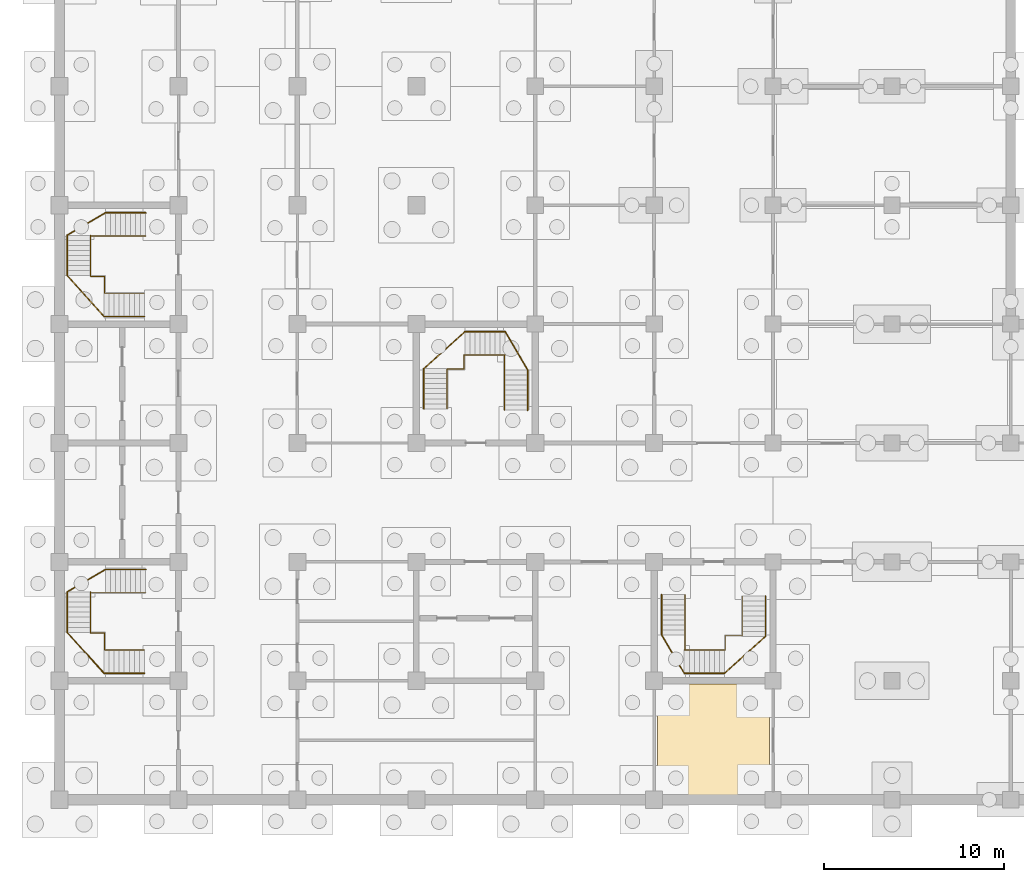
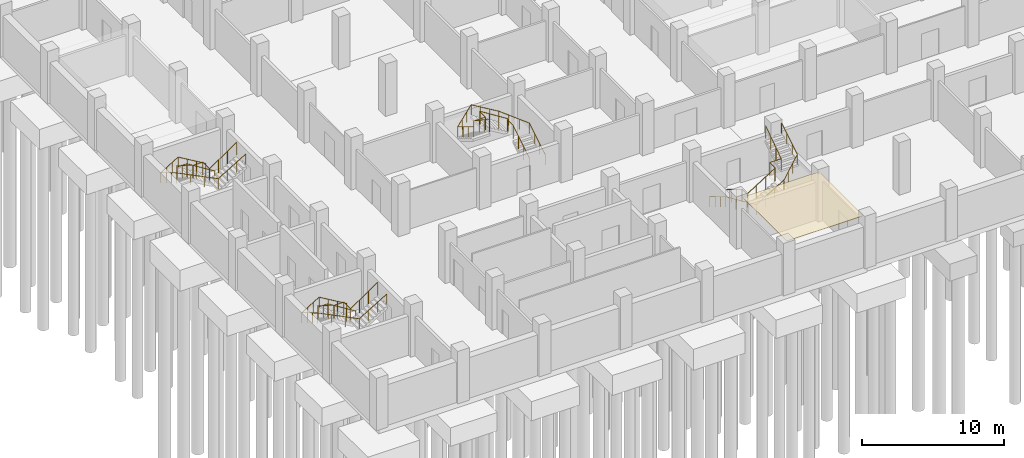
# One storey, part 16 of 18: 8 railings, 1 covering.
"""IFC4 building model written with IfcOpenShell, lengths in metres."""

from ifc_helpers import new_model, si_unit, direction, frame, origin, origin_2d, place, context, subcontext, project, spatial, polyline, circle, outline, extrude, material, layer, layer_set, type_object, element, save


model = new_model("IFC4")

# Units and contexts
model_context = context("Model", 3, precision=1e-05, world=origin(), true_north=direction((0.0, 1.0)))
body_context = subcontext(model_context, "Body", "Model", "MODEL_VIEW")
ifc_project = project(units=[si_unit("LENGTHUNIT", "METRE"), si_unit("AREAUNIT", "SQUARE_METRE"), si_unit("VOLUMEUNIT", "CUBIC_METRE"), si_unit("PLANEANGLEUNIT", "RADIAN"), si_unit("MASSUNIT", "GRAM", prefix="KILO")], contexts=[model_context])

# Site, building, storey
site_placement = place(None, origin())
site = spatial("IfcSite", under=ifc_project, at=site_placement, CompositionType="ELEMENT")
building_placement = place(site_placement, origin())
building = spatial("IfcBuilding", under=site, at=building_placement, Name="Rusizi Kubbe Research Institute", CompositionType="ELEMENT")
storey_placement = place(building_placement, frame((0.0, 0.0, -4.5)))
storey = spatial("IfcBuildingStorey", under=building, at=storey_placement, Name="B01", CompositionType="ELEMENT", Elevation=-4.5)

# Covering
ifc_material_1 = material(Name="Mineral-Fibre Acoustic Laboratory Ceiling", Category="masonry")
ifc_layer = layer(ifc_material_1, 0.0400390625)
ifc_layer_set = layer_set([ifc_layer], Name="Mineral-Fibre Acoustic Laboratory Ceiling")
covering_type = type_object("IfcCoveringType", Name="CL-ACOUSTIC", PredefinedType="CEILING", material=ifc_layer_set)
covering_placement = place(storey_placement, frame((0.0, 0.0, 4.050048828125)))
element("IfcCovering", 1, at=covering_placement, inside=storey, type_object=covering_type, Name="Laboratory Instrument Support Room Ceiling B01-EWU-05", PredefinedType="CEILING", context=body_context, shape_type="SweptSolid", body=[
    extrude(outline(polyline([(33.18994140625, 0.18994140625), (39.409912109375, 0.18994140625), (39.409912109375, 6.409912109375), (33.18994140625, 6.409912109375), (33.18994140625, 0.18994140625)])), origin(), (0.0, 0.0, 1.0), 0.0400390625),
])

# Railings
ifc_material_2 = material(Name="Painted Steel Stair Guard", Category="steel")
railing_type_1 = type_object("IfcRailingType", Name="GR-STAIR", PredefinedType="GUARDRAIL", material=ifc_material_2)
railing_1_placement = place(storey_placement, frame((4.780029296875, 11.489990234375, 0.083251953125)))
element("IfcRailing", 2, at=railing_1_placement, inside=storey, type_object=railing_type_1, Name="Stair Inner Well Guard ST1 B01", PredefinedType="GUARDRAIL", context=body_context, shape_type="SweptSolid", body=[
    extrude(circle(Radius=0.02392578125, at=origin_2d()), frame((0.0, 0.0, 1.09619140625), z_axis=(-0.849380094892, 0.0, 0.527781635149), x_axis=(0.0, -1.0, 0.0)), (0.0, 0.0, 1.0), 2.684326171875),
    extrude(circle(Radius=0.02392578125, at=origin_2d()), frame((-2.280029296875, 0.0, 2.5126953125), z_axis=(-1.0, 0.0, 0.0), x_axis=(0.0, -1.0, 0.0)), (0.0, 0.0, 1.0), 0.7900390625),
    extrude(circle(Radius=0.02392578125, at=origin_2d()), frame((-3.070068359375, 0.0, 2.5126953125), z_axis=(0.0, 0.43341827455, 0.901192875741), x_axis=(-1.0, 0.0, 0.0)), (0.0, 0.0, 1.0), 0.09228515625),
    extrude(circle(Radius=0.02392578125, at=origin_2d()), frame((-3.070068359375, 0.0400390625, 2.59619140625), z_axis=(0.0, -0.845145079244, 0.534536991264), x_axis=(1.0, 0.0, 0.0)), (0.0, 0.0, 1.0), 2.650390625),
    extrude(circle(Radius=0.02392578125, at=origin_2d()), frame((-3.070068359375, -2.199951171875, 4.0126953125), z_axis=(0.0, -1.0, 0.0), x_axis=(1.0, 0.0, 0.0)), (0.0, 0.0, 1.0), 0.0400390625),
    extrude(circle(Radius=0.02392578125, at=origin_2d()), frame((-3.070068359375, -2.239990234375, 4.0126953125), z_axis=(1.0, 0.0, 0.0), x_axis=(0.0, 1.0, 0.0)), (0.0, 0.0, 1.0), 0.7900390625),
    extrude(circle(Radius=0.02392578125, at=origin_2d()), frame((-2.280029296875, -2.239990234375, 4.0126953125), z_axis=(0.0, -1.0, 0.0), x_axis=(1.0, 0.0, 0.0)), (0.0, 0.0, 1.0), 0.93994140625),
    extrude(circle(Radius=0.02392578125, at=origin_2d()), frame((-2.280029296875, -3.179931640625, 4.0126953125), z_axis=(0.826221523208, 0.0, 0.563345359959), x_axis=(0.0, 1.0, 0.0)), (0.0, 0.0, 1.0), 2.66259765625),
    extrude(circle(Radius=0.02099609375, at=origin_2d()), origin(), (0.0, 0.0, 1.0), 1.072021484375),
    extrude(circle(Radius=0.02099609375, at=origin_2d()), frame((-0.760009765625, 0.0, 0.47216796875)), (0.0, 0.0, 1.0), 1.072021484375),
    extrude(circle(Radius=0.02099609375, at=origin_2d()), frame((-1.52001953125, 0.0, 0.944580078125)), (0.0, 0.0, 1.0), 1.072021484375),
    extrude(circle(Radius=0.02099609375, at=origin_2d()), frame((-2.280029296875, 0.0, 1.416748046875)), (0.0, 0.0, 1.0), 1.072021484375),
    extrude(circle(Radius=0.02099609375, at=origin_2d()), frame((-3.070068359375, 0.0, 1.416748046875)), (0.0, 0.0, 1.0), 1.072021484375),
    extrude(circle(Radius=0.02099609375, at=origin_2d()), frame((-3.070068359375, 0.0400390625, 1.5)), (0.0, 0.0, 1.0), 1.072021484375),
    extrude(circle(Radius=0.02099609375, at=origin_2d()), frame((-3.070068359375, -0.70654296875, 1.97216796875)), (0.0, 0.0, 1.0), 1.072021484375),
    extrude(circle(Radius=0.02099609375, at=origin_2d()), frame((-3.070068359375, -1.453369140625, 2.444580078125)), (0.0, 0.0, 1.0), 1.072021484375),
    extrude(circle(Radius=0.02099609375, at=origin_2d()), frame((-3.070068359375, -2.199951171875, 2.916748046875)), (0.0, 0.0, 1.0), 1.072021484375),
    extrude(circle(Radius=0.02099609375, at=origin_2d()), frame((-3.070068359375, -2.239990234375, 2.916748046875)), (0.0, 0.0, 1.0), 1.072021484375),
    extrude(circle(Radius=0.02099609375, at=origin_2d()), frame((-2.280029296875, -2.239990234375, 2.916748046875)), (0.0, 0.0, 1.0), 1.072021484375),
    extrude(circle(Radius=0.02099609375, at=origin_2d()), frame((-2.280029296875, -3.179931640625, 2.916748046875)), (0.0, 0.0, 1.0), 1.072021484375),
    extrude(circle(Radius=0.02099609375, at=origin_2d()), frame((-1.546630859375, -3.179931640625, 3.416748046875)), (0.0, 0.0, 1.0), 1.072021484375),
    extrude(circle(Radius=0.02099609375, at=origin_2d()), frame((-0.8134765625, -3.179931640625, 3.916748046875)), (0.0, 0.0, 1.0), 1.072021484375),
    extrude(circle(Radius=0.02099609375, at=origin_2d()), frame((-0.080078125, -3.179931640625, 4.416748046875)), (0.0, 0.0, 1.0), 1.072021484375),
])
railing_2_placement = place(storey_placement, frame((4.780029296875, 31.2900390625, 0.083251953125)))
element("IfcRailing", 3, at=railing_2_placement, inside=storey, type_object=railing_type_1, Name="Stair Inner Well Guard ST2 B01", PredefinedType="GUARDRAIL", context=body_context, shape_type="SweptSolid", body=[
    extrude(circle(Radius=0.02392578125, at=origin_2d()), frame((0.0, 0.0, 1.09619140625), z_axis=(-0.849380094892, 0.0, 0.527781635149), x_axis=(0.0, -1.0, 0.0)), (0.0, 0.0, 1.0), 2.684326171875),
    extrude(circle(Radius=0.02392578125, at=origin_2d()), frame((-2.280029296875, 0.0, 2.5126953125), z_axis=(-1.0, 0.0, 0.0), x_axis=(0.0, -1.0, 0.0)), (0.0, 0.0, 1.0), 0.7900390625),
    extrude(circle(Radius=0.02392578125, at=origin_2d()), frame((-3.070068359375, 0.0, 2.5126953125), z_axis=(0.0, 0.43341827455, 0.901192875741), x_axis=(-1.0, 0.0, 0.0)), (0.0, 0.0, 1.0), 0.09228515625),
    extrude(circle(Radius=0.02392578125, at=origin_2d()), frame((-3.070068359375, 0.0400390625, 2.59619140625), z_axis=(0.0, -0.845145079244, 0.534536991264), x_axis=(1.0, 0.0, 0.0)), (0.0, 0.0, 1.0), 2.650390625),
    extrude(circle(Radius=0.02392578125, at=origin_2d()), frame((-3.070068359375, -2.199951171875, 4.0126953125), z_axis=(0.0, -1.0, 0.0), x_axis=(1.0, 0.0, 0.0)), (0.0, 0.0, 1.0), 0.0400390625),
    extrude(circle(Radius=0.02392578125, at=origin_2d()), frame((-3.070068359375, -2.239990234375, 4.0126953125), z_axis=(1.0, 0.0, 0.0), x_axis=(0.0, 1.0, 0.0)), (0.0, 0.0, 1.0), 0.7900390625),
    extrude(circle(Radius=0.02392578125, at=origin_2d()), frame((-2.280029296875, -2.239990234375, 4.0126953125), z_axis=(0.0, -1.0, 0.0), x_axis=(1.0, 0.0, 0.0)), (0.0, 0.0, 1.0), 0.93994140625),
    extrude(circle(Radius=0.02392578125, at=origin_2d()), frame((-2.280029296875, -3.179931640625, 4.0126953125), z_axis=(0.826221523208, 0.0, 0.563345359959), x_axis=(0.0, 1.0, 0.0)), (0.0, 0.0, 1.0), 2.66259765625),
    extrude(circle(Radius=0.02099609375, at=origin_2d()), origin(), (0.0, 0.0, 1.0), 1.072021484375),
    extrude(circle(Radius=0.02099609375, at=origin_2d()), frame((-0.760009765625, 0.0, 0.47216796875)), (0.0, 0.0, 1.0), 1.072021484375),
    extrude(circle(Radius=0.02099609375, at=origin_2d()), frame((-1.52001953125, 0.0, 0.944580078125)), (0.0, 0.0, 1.0), 1.072021484375),
    extrude(circle(Radius=0.02099609375, at=origin_2d()), frame((-2.280029296875, 0.0, 1.416748046875)), (0.0, 0.0, 1.0), 1.072021484375),
    extrude(circle(Radius=0.02099609375, at=origin_2d()), frame((-3.070068359375, 0.0, 1.416748046875)), (0.0, 0.0, 1.0), 1.072021484375),
    extrude(circle(Radius=0.02099609375, at=origin_2d()), frame((-3.070068359375, 0.0400390625, 1.5)), (0.0, 0.0, 1.0), 1.072021484375),
    extrude(circle(Radius=0.02099609375, at=origin_2d()), frame((-3.070068359375, -0.70654296875, 1.97216796875)), (0.0, 0.0, 1.0), 1.072021484375),
    extrude(circle(Radius=0.02099609375, at=origin_2d()), frame((-3.070068359375, -1.453369140625, 2.444580078125)), (0.0, 0.0, 1.0), 1.072021484375),
    extrude(circle(Radius=0.02099609375, at=origin_2d()), frame((-3.070068359375, -2.199951171875, 2.916748046875)), (0.0, 0.0, 1.0), 1.072021484375),
    extrude(circle(Radius=0.02099609375, at=origin_2d()), frame((-3.070068359375, -2.239990234375, 2.916748046875)), (0.0, 0.0, 1.0), 1.072021484375),
    extrude(circle(Radius=0.02099609375, at=origin_2d()), frame((-2.280029296875, -2.239990234375, 2.916748046875)), (0.0, 0.0, 1.0), 1.072021484375),
    extrude(circle(Radius=0.02099609375, at=origin_2d()), frame((-2.280029296875, -3.179931640625, 2.916748046875)), (0.0, 0.0, 1.0), 1.072021484375),
    extrude(circle(Radius=0.02099609375, at=origin_2d()), frame((-1.546630859375, -3.179931640625, 3.416748046875)), (0.0, 0.0, 1.0), 1.072021484375),
    extrude(circle(Radius=0.02099609375, at=origin_2d()), frame((-0.8134765625, -3.179931640625, 3.916748046875)), (0.0, 0.0, 1.0), 1.072021484375),
    extrude(circle(Radius=0.02099609375, at=origin_2d()), frame((-0.080078125, -3.179931640625, 4.416748046875)), (0.0, 0.0, 1.0), 1.072021484375),
])
railing_3_placement = place(storey_placement, frame((24.68994140625, 21.6201171875, 0.083251953125)))
element("IfcRailing", 4, at=railing_3_placement, inside=storey, type_object=railing_type_1, Name="Stair Inner Well Guard ST3 B01", PredefinedType="GUARDRAIL", context=body_context, shape_type="SweptSolid", body=[
    extrude(circle(Radius=0.02392578125, at=origin_2d()), frame((0.0, 0.0, 1.09619140625), z_axis=(0.0, 0.849354757578, 0.527822409319), x_axis=(-1.0, 0.0, 0.0)), (0.0, 0.0, 1.0), 2.68408203125),
    extrude(circle(Radius=0.02392578125, at=origin_2d()), frame((0.0, 2.27978515625, 2.5126953125), z_axis=(0.0, 1.0, 0.0), x_axis=(-1.0, 0.0, 0.0)), (0.0, 0.0, 1.0), 0.7900390625),
    extrude(circle(Radius=0.02392578125, at=origin_2d()), frame((0.0, 3.06982421875, 2.5126953125), z_axis=(0.43341827455, 0.0, 0.901192875741), x_axis=(0.0, 1.0, 0.0)), (0.0, 0.0, 1.0), 0.09228515625),
    extrude(circle(Radius=0.02392578125, at=origin_2d()), frame((0.0400390625, 3.06982421875, 2.59619140625), z_axis=(-0.845145079244, 0.0, 0.534536991264), x_axis=(0.0, -1.0, 0.0)), (0.0, 0.0, 1.0), 2.650390625),
    extrude(circle(Radius=0.02392578125, at=origin_2d()), frame((-2.199951171875, 3.06982421875, 4.0126953125), z_axis=(-1.0, 0.0, 0.0), x_axis=(0.0, -1.0, 0.0)), (0.0, 0.0, 1.0), 0.0400390625),
    extrude(circle(Radius=0.02392578125, at=origin_2d()), frame((-2.239990234375, 3.06982421875, 4.0126953125), z_axis=(0.0, -1.0, 0.0), x_axis=(1.0, 0.0, 0.0)), (0.0, 0.0, 1.0), 0.7900390625),
    extrude(circle(Radius=0.02392578125, at=origin_2d()), frame((-2.239990234375, 2.27978515625, 4.0126953125), z_axis=(-1.0, 0.0, 0.0), x_axis=(0.0, -1.0, 0.0)), (0.0, 0.0, 1.0), 0.93994140625),
    extrude(circle(Radius=0.02392578125, at=origin_2d()), frame((-3.179931640625, 2.27978515625, 4.0126953125), z_axis=(0.0, -0.826221523208, 0.563345359959), x_axis=(1.0, 0.0, 0.0)), (0.0, 0.0, 1.0), 2.66259765625),
    extrude(circle(Radius=0.02099609375, at=origin_2d()), origin(), (0.0, 0.0, 1.0), 1.072021484375),
    extrude(circle(Radius=0.02099609375, at=origin_2d()), frame((0.0, 0.760009765625, 0.47216796875)), (0.0, 0.0, 1.0), 1.072021484375),
    extrude(circle(Radius=0.02099609375, at=origin_2d()), frame((0.0, 1.519775390625, 0.944580078125)), (0.0, 0.0, 1.0), 1.072021484375),
    extrude(circle(Radius=0.02099609375, at=origin_2d()), frame((0.0, 2.27978515625, 1.416748046875)), (0.0, 0.0, 1.0), 1.072021484375),
    extrude(circle(Radius=0.02099609375, at=origin_2d()), frame((0.0, 3.06982421875, 1.416748046875)), (0.0, 0.0, 1.0), 1.072021484375),
    extrude(circle(Radius=0.02099609375, at=origin_2d()), frame((0.0400390625, 3.06982421875, 1.5)), (0.0, 0.0, 1.0), 1.072021484375),
    extrude(circle(Radius=0.02099609375, at=origin_2d()), frame((-0.70654296875, 3.06982421875, 1.97216796875)), (0.0, 0.0, 1.0), 1.072021484375),
    extrude(circle(Radius=0.02099609375, at=origin_2d()), frame((-1.453369140625, 3.06982421875, 2.444580078125)), (0.0, 0.0, 1.0), 1.072021484375),
    extrude(circle(Radius=0.02099609375, at=origin_2d()), frame((-2.199951171875, 3.06982421875, 2.916748046875)), (0.0, 0.0, 1.0), 1.072021484375),
    extrude(circle(Radius=0.02099609375, at=origin_2d()), frame((-2.239990234375, 3.06982421875, 2.916748046875)), (0.0, 0.0, 1.0), 1.072021484375),
    extrude(circle(Radius=0.02099609375, at=origin_2d()), frame((-2.239990234375, 2.27978515625, 2.916748046875)), (0.0, 0.0, 1.0), 1.072021484375),
    extrude(circle(Radius=0.02099609375, at=origin_2d()), frame((-3.179931640625, 2.27978515625, 2.916748046875)), (0.0, 0.0, 1.0), 1.072021484375),
    extrude(circle(Radius=0.02099609375, at=origin_2d()), frame((-3.179931640625, 1.54638671875, 3.416748046875)), (0.0, 0.0, 1.0), 1.072021484375),
    extrude(circle(Radius=0.02099609375, at=origin_2d()), frame((-3.179931640625, 0.813232421875, 3.916748046875)), (0.0, 0.0, 1.0), 1.072021484375),
    extrude(circle(Radius=0.02099609375, at=origin_2d()), frame((-3.179931640625, 0.079833984375, 4.416748046875)), (0.0, 0.0, 1.0), 1.072021484375),
])
railing_4_placement = place(storey_placement, frame((34.7099609375, 11.3798828125, 0.083251953125)))
element("IfcRailing", 5, at=railing_4_placement, inside=storey, type_object=railing_type_1, Name="Stair Inner Well Guard ST4 B01", PredefinedType="GUARDRAIL", context=body_context, shape_type="SweptSolid", body=[
    extrude(circle(Radius=0.02392578125, at=origin_2d()), frame((0.0, 0.0, 1.09619140625), z_axis=(0.0, -0.849354757578, 0.527822409319), x_axis=(1.0, 0.0, 0.0)), (0.0, 0.0, 1.0), 2.68408203125),
    extrude(circle(Radius=0.02392578125, at=origin_2d()), frame((0.0, -2.27978515625, 2.5126953125), z_axis=(0.0, -1.0, 0.0), x_axis=(1.0, 0.0, 0.0)), (0.0, 0.0, 1.0), 0.7900390625),
    extrude(circle(Radius=0.02392578125, at=origin_2d()), frame((0.0, -3.06982421875, 2.5126953125), z_axis=(-0.43341827455, 0.0, 0.901192875741), x_axis=(0.0, -1.0, 0.0)), (0.0, 0.0, 1.0), 0.09228515625),
    extrude(circle(Radius=0.02392578125, at=origin_2d()), frame((-0.0400390625, -3.06982421875, 2.59619140625), z_axis=(0.845145079244, 0.0, 0.534536991264), x_axis=(0.0, 1.0, 0.0)), (0.0, 0.0, 1.0), 2.650390625),
    extrude(circle(Radius=0.02392578125, at=origin_2d()), frame((2.199951171875, -3.06982421875, 4.0126953125), z_axis=(1.0, 0.0, 0.0), x_axis=(0.0, 1.0, 0.0)), (0.0, 0.0, 1.0), 0.0400390625),
    extrude(circle(Radius=0.02392578125, at=origin_2d()), frame((2.239990234375, -3.06982421875, 4.0126953125), z_axis=(0.0, 1.0, 0.0), x_axis=(-1.0, 0.0, 0.0)), (0.0, 0.0, 1.0), 0.7900390625),
    extrude(circle(Radius=0.02392578125, at=origin_2d()), frame((2.239990234375, -2.27978515625, 4.0126953125), z_axis=(1.0, 0.0, 0.0), x_axis=(0.0, 1.0, 0.0)), (0.0, 0.0, 1.0), 0.93994140625),
    extrude(circle(Radius=0.02392578125, at=origin_2d()), frame((3.179931640625, -2.27978515625, 4.0126953125), z_axis=(0.0, 0.826221523208, 0.563345359959), x_axis=(-1.0, 0.0, 0.0)), (0.0, 0.0, 1.0), 2.66259765625),
    extrude(circle(Radius=0.02099609375, at=origin_2d()), origin(), (0.0, 0.0, 1.0), 1.072021484375),
    extrude(circle(Radius=0.02099609375, at=origin_2d()), frame((0.0, -0.760009765625, 0.47216796875)), (0.0, 0.0, 1.0), 1.072021484375),
    extrude(circle(Radius=0.02099609375, at=origin_2d()), frame((0.0, -1.519775390625, 0.944580078125)), (0.0, 0.0, 1.0), 1.072021484375),
    extrude(circle(Radius=0.02099609375, at=origin_2d()), frame((0.0, -2.27978515625, 1.416748046875)), (0.0, 0.0, 1.0), 1.072021484375),
    extrude(circle(Radius=0.02099609375, at=origin_2d()), frame((0.0, -3.06982421875, 1.416748046875)), (0.0, 0.0, 1.0), 1.072021484375),
    extrude(circle(Radius=0.02099609375, at=origin_2d()), frame((-0.0400390625, -3.06982421875, 1.5)), (0.0, 0.0, 1.0), 1.072021484375),
    extrude(circle(Radius=0.02099609375, at=origin_2d()), frame((0.70654296875, -3.06982421875, 1.97216796875)), (0.0, 0.0, 1.0), 1.072021484375),
    extrude(circle(Radius=0.02099609375, at=origin_2d()), frame((1.453369140625, -3.06982421875, 2.444580078125)), (0.0, 0.0, 1.0), 1.072021484375),
    extrude(circle(Radius=0.02099609375, at=origin_2d()), frame((2.199951171875, -3.06982421875, 2.916748046875)), (0.0, 0.0, 1.0), 1.072021484375),
    extrude(circle(Radius=0.02099609375, at=origin_2d()), frame((2.239990234375, -3.06982421875, 2.916748046875)), (0.0, 0.0, 1.0), 1.072021484375),
    extrude(circle(Radius=0.02099609375, at=origin_2d()), frame((2.239990234375, -2.27978515625, 2.916748046875)), (0.0, 0.0, 1.0), 1.072021484375),
    extrude(circle(Radius=0.02099609375, at=origin_2d()), frame((3.179931640625, -2.27978515625, 2.916748046875)), (0.0, 0.0, 1.0), 1.072021484375),
    extrude(circle(Radius=0.02099609375, at=origin_2d()), frame((3.179931640625, -1.54638671875, 3.416748046875)), (0.0, 0.0, 1.0), 1.072021484375),
    extrude(circle(Radius=0.02099609375, at=origin_2d()), frame((3.179931640625, -0.813232421875, 3.916748046875)), (0.0, 0.0, 1.0), 1.072021484375),
    extrude(circle(Radius=0.02099609375, at=origin_2d()), frame((3.179931640625, -0.079833984375, 4.416748046875)), (0.0, 0.0, 1.0), 1.072021484375),
])
ifc_material_3 = material(Name="Brushed Stainless Steel Handrail", Category="steel")
railing_type_2 = type_object("IfcRailingType", Name="HR-STAIR", PredefinedType="HANDRAIL", material=ifc_material_3)
railing_5_placement = place(storey_placement, frame((4.780029296875, 12.780029296875, 0.166748046875)))
element("IfcRailing", 6, at=railing_5_placement, inside=storey, type_object=railing_type_2, Name="Stair Wall Handrail ST1 B01", PredefinedType="HANDRAIL", context=body_context, shape_type="SweptSolid", body=[
    extrude(circle(Radius=0.02392578125, at=origin_2d()), frame((0.0, 0.0, 0.8759765625), z_axis=(-0.859305625298, 0.0, 0.511462454469), x_axis=(0.0, -1.0, 0.0)), (0.0, 0.0, 1.0), 2.606689453125),
    extrude(circle(Radius=0.02392578125, at=origin_2d()), frame((-2.239990234375, 0.0, 2.208984375), z_axis=(-0.859453479743, -0.506725220669, 0.067596352679), x_axis=(0.50788688454, -0.861423770575, 0.0)), (0.0, 0.0, 1.0), 2.466796875),
    extrude(circle(Radius=0.02392578125, at=origin_2d()), frame((-4.360107421875, -1.25, 2.3759765625), z_axis=(0.0, -0.859305625298, 0.511462454469), x_axis=(1.0, 0.0, 0.0)), (0.0, 0.0, 1.0), 2.606689453125),
    extrude(circle(Radius=0.02392578125, at=origin_2d()), frame((-4.360107421875, -3.489990234375, 3.708984375), z_axis=(0.668535083684, -0.741682282317, 0.054481501271), x_axis=(0.742785482118, 0.669529482215, 0.0)), (0.0, 0.0, 1.0), 3.060546875),
    extrude(circle(Radius=0.02392578125, at=origin_2d()), frame((-2.31396484375, -5.760009765625, 3.8759765625), z_axis=(0.858691267974, 0.0, 0.512493225618), x_axis=(0.0, 1.0, 0.0)), (0.0, 0.0, 1.0), 2.6015625),
    extrude(circle(Radius=0.02099609375, at=origin_2d()), origin(), (0.0, 0.0, 1.0), 0.851806640625),
    extrude(circle(Radius=0.02099609375, at=origin_2d()), frame((-0.74658203125, 0.0, 0.4443359375)), (0.0, 0.0, 1.0), 0.851806640625),
    extrude(circle(Radius=0.02099609375, at=origin_2d()), frame((-1.493408203125, 0.0, 0.888916015625)), (0.0, 0.0, 1.0), 0.851806640625),
    extrude(circle(Radius=0.02099609375, at=origin_2d()), frame((-2.239990234375, 0.0, 1.333251953125)), (0.0, 0.0, 1.0), 0.851806640625),
    extrude(circle(Radius=0.02099609375, at=origin_2d()), frame((-2.94677734375, -0.416748046875, 1.388916015625)), (0.0, 0.0, 1.0), 0.851806640625),
    extrude(circle(Radius=0.02099609375, at=origin_2d()), frame((-3.6533203125, -0.833251953125, 1.4443359375)), (0.0, 0.0, 1.0), 0.851806640625),
    extrude(circle(Radius=0.02099609375, at=origin_2d()), frame((-4.360107421875, -1.25, 1.5)), (0.0, 0.0, 1.0), 0.851806640625),
    extrude(circle(Radius=0.02099609375, at=origin_2d()), frame((-4.360107421875, -1.99658203125, 1.9443359375)), (0.0, 0.0, 1.0), 0.851806640625),
    extrude(circle(Radius=0.02099609375, at=origin_2d()), frame((-4.360107421875, -2.743408203125, 2.388916015625)), (0.0, 0.0, 1.0), 0.851806640625),
    extrude(circle(Radius=0.02099609375, at=origin_2d()), frame((-4.360107421875, -3.489990234375, 2.833251953125)), (0.0, 0.0, 1.0), 0.851806640625),
    extrude(circle(Radius=0.02099609375, at=origin_2d()), frame((-3.677978515625, -4.24658203125, 2.888916015625)), (0.0, 0.0, 1.0), 0.851806640625),
    extrude(circle(Radius=0.02099609375, at=origin_2d()), frame((-2.99609375, -5.00341796875, 2.9443359375)), (0.0, 0.0, 1.0), 0.851806640625),
    extrude(circle(Radius=0.02099609375, at=origin_2d()), frame((-2.31396484375, -5.760009765625, 3.0)), (0.0, 0.0, 1.0), 0.851806640625),
    extrude(circle(Radius=0.02099609375, at=origin_2d()), frame((-1.5693359375, -5.760009765625, 3.4443359375)), (0.0, 0.0, 1.0), 0.851806640625),
    extrude(circle(Radius=0.02099609375, at=origin_2d()), frame((-0.82470703125, -5.760009765625, 3.888916015625)), (0.0, 0.0, 1.0), 0.851806640625),
    extrude(circle(Radius=0.02099609375, at=origin_2d()), frame((-0.080078125, -5.760009765625, 4.333251953125)), (0.0, 0.0, 1.0), 0.851806640625),
])
railing_6_placement = place(storey_placement, frame((4.780029296875, 32.580078125, 0.166748046875)))
element("IfcRailing", 7, at=railing_6_placement, inside=storey, type_object=railing_type_2, Name="Stair Wall Handrail ST2 B01", PredefinedType="HANDRAIL", context=body_context, shape_type="SweptSolid", body=[
    extrude(circle(Radius=0.02392578125, at=origin_2d()), frame((0.0, 0.0, 0.8759765625), z_axis=(-0.859305625298, 0.0, 0.511462454469), x_axis=(0.0, -1.0, 0.0)), (0.0, 0.0, 1.0), 2.606689453125),
    extrude(circle(Radius=0.02392578125, at=origin_2d()), frame((-2.239990234375, 0.0, 2.208984375), z_axis=(-0.859453479743, -0.506725220669, 0.067596352679), x_axis=(0.50788688454, -0.861423770575, 0.0)), (0.0, 0.0, 1.0), 2.466796875),
    extrude(circle(Radius=0.02392578125, at=origin_2d()), frame((-4.360107421875, -1.25, 2.3759765625), z_axis=(0.0, -0.859305625298, 0.511462454469), x_axis=(1.0, 0.0, 0.0)), (0.0, 0.0, 1.0), 2.606689453125),
    extrude(circle(Radius=0.02392578125, at=origin_2d()), frame((-4.360107421875, -3.489990234375, 3.708984375), z_axis=(0.668535083684, -0.741682282317, 0.054481501271), x_axis=(0.742785482118, 0.669529482215, 0.0)), (0.0, 0.0, 1.0), 3.060546875),
    extrude(circle(Radius=0.02392578125, at=origin_2d()), frame((-2.31396484375, -5.760009765625, 3.8759765625), z_axis=(0.858691267974, 0.0, 0.512493225618), x_axis=(0.0, 1.0, 0.0)), (0.0, 0.0, 1.0), 2.6015625),
    extrude(circle(Radius=0.02099609375, at=origin_2d()), origin(), (0.0, 0.0, 1.0), 0.851806640625),
    extrude(circle(Radius=0.02099609375, at=origin_2d()), frame((-0.74658203125, 0.0, 0.4443359375)), (0.0, 0.0, 1.0), 0.851806640625),
    extrude(circle(Radius=0.02099609375, at=origin_2d()), frame((-1.493408203125, 0.0, 0.888916015625)), (0.0, 0.0, 1.0), 0.851806640625),
    extrude(circle(Radius=0.02099609375, at=origin_2d()), frame((-2.239990234375, 0.0, 1.333251953125)), (0.0, 0.0, 1.0), 0.851806640625),
    extrude(circle(Radius=0.02099609375, at=origin_2d()), frame((-2.94677734375, -0.416748046875, 1.388916015625)), (0.0, 0.0, 1.0), 0.851806640625),
    extrude(circle(Radius=0.02099609375, at=origin_2d()), frame((-3.6533203125, -0.833251953125, 1.4443359375)), (0.0, 0.0, 1.0), 0.851806640625),
    extrude(circle(Radius=0.02099609375, at=origin_2d()), frame((-4.360107421875, -1.25, 1.5)), (0.0, 0.0, 1.0), 0.851806640625),
    extrude(circle(Radius=0.02099609375, at=origin_2d()), frame((-4.360107421875, -1.99658203125, 1.9443359375)), (0.0, 0.0, 1.0), 0.851806640625),
    extrude(circle(Radius=0.02099609375, at=origin_2d()), frame((-4.360107421875, -2.743408203125, 2.388916015625)), (0.0, 0.0, 1.0), 0.851806640625),
    extrude(circle(Radius=0.02099609375, at=origin_2d()), frame((-4.360107421875, -3.489990234375, 2.833251953125)), (0.0, 0.0, 1.0), 0.851806640625),
    extrude(circle(Radius=0.02099609375, at=origin_2d()), frame((-3.677978515625, -4.24658203125, 2.888916015625)), (0.0, 0.0, 1.0), 0.851806640625),
    extrude(circle(Radius=0.02099609375, at=origin_2d()), frame((-2.99609375, -5.00341796875, 2.9443359375)), (0.0, 0.0, 1.0), 0.851806640625),
    extrude(circle(Radius=0.02099609375, at=origin_2d()), frame((-2.31396484375, -5.760009765625, 3.0)), (0.0, 0.0, 1.0), 0.851806640625),
    extrude(circle(Radius=0.02099609375, at=origin_2d()), frame((-1.5693359375, -5.760009765625, 3.4443359375)), (0.0, 0.0, 1.0), 0.851806640625),
    extrude(circle(Radius=0.02099609375, at=origin_2d()), frame((-0.82470703125, -5.760009765625, 3.888916015625)), (0.0, 0.0, 1.0), 0.851806640625),
    extrude(circle(Radius=0.02099609375, at=origin_2d()), frame((-0.080078125, -5.760009765625, 4.333251953125)), (0.0, 0.0, 1.0), 0.851806640625),
])
railing_7_placement = place(storey_placement, frame((25.97998046875, 21.6201171875, 0.166748046875)))
element("IfcRailing", 8, at=railing_7_placement, inside=storey, type_object=railing_type_2, Name="Stair Wall Handrail ST3 B01", PredefinedType="HANDRAIL", context=body_context, shape_type="SweptSolid", body=[
    extrude(circle(Radius=0.02392578125, at=origin_2d()), frame((0.0, 0.0, 0.8759765625), z_axis=(0.0, 0.859305625298, 0.511462454469), x_axis=(-1.0, 0.0, 0.0)), (0.0, 0.0, 1.0), 2.606689453125),
    extrude(circle(Radius=0.02392578125, at=origin_2d()), frame((0.0, 2.239990234375, 2.208984375), z_axis=(-0.50676832569, 0.859427611711, 0.067602102821), x_axis=(-0.861398179608, -0.50793028672, 0.0)), (0.0, 0.0, 1.0), 2.466552734375),
    extrude(circle(Radius=0.02392578125, at=origin_2d()), frame((-1.25, 4.35986328125, 2.3759765625), z_axis=(-0.859305625298, 0.0, 0.511462454469), x_axis=(0.0, -1.0, 0.0)), (0.0, 0.0, 1.0), 2.606689453125),
    extrude(circle(Radius=0.02392578125, at=origin_2d()), frame((-3.489990234375, 4.35986328125, 3.708984375), z_axis=(-0.741721835305, -0.668490963632, 0.054484406702), x_axis=(0.66948540283, -0.742825211875, 0.0)), (0.0, 0.0, 1.0), 3.060546875),
    extrude(circle(Radius=0.02392578125, at=origin_2d()), frame((-5.760009765625, 2.31396484375, 3.8759765625), z_axis=(0.0, -0.858715913593, 0.512451929202), x_axis=(1.0, 0.0, 0.0)), (0.0, 0.0, 1.0), 2.601806640625),
    extrude(circle(Radius=0.02099609375, at=origin_2d()), origin(), (0.0, 0.0, 1.0), 0.851806640625),
    extrude(circle(Radius=0.02099609375, at=origin_2d()), frame((0.0, 0.74658203125, 0.4443359375)), (0.0, 0.0, 1.0), 0.851806640625),
    extrude(circle(Radius=0.02099609375, at=origin_2d()), frame((0.0, 1.493408203125, 0.888916015625)), (0.0, 0.0, 1.0), 0.851806640625),
    extrude(circle(Radius=0.02099609375, at=origin_2d()), frame((0.0, 2.239990234375, 1.333251953125)), (0.0, 0.0, 1.0), 0.851806640625),
    extrude(circle(Radius=0.02099609375, at=origin_2d()), frame((-0.416748046875, 2.946533203125, 1.388916015625)), (0.0, 0.0, 1.0), 0.851806640625),
    extrude(circle(Radius=0.02099609375, at=origin_2d()), frame((-0.833251953125, 3.6533203125, 1.4443359375)), (0.0, 0.0, 1.0), 0.851806640625),
    extrude(circle(Radius=0.02099609375, at=origin_2d()), frame((-1.25, 4.35986328125, 1.5)), (0.0, 0.0, 1.0), 0.851806640625),
    extrude(circle(Radius=0.02099609375, at=origin_2d()), frame((-1.99658203125, 4.35986328125, 1.9443359375)), (0.0, 0.0, 1.0), 0.851806640625),
    extrude(circle(Radius=0.02099609375, at=origin_2d()), frame((-2.743408203125, 4.35986328125, 2.388916015625)), (0.0, 0.0, 1.0), 0.851806640625),
    extrude(circle(Radius=0.02099609375, at=origin_2d()), frame((-3.489990234375, 4.35986328125, 2.833251953125)), (0.0, 0.0, 1.0), 0.851806640625),
    extrude(circle(Radius=0.02099609375, at=origin_2d()), frame((-4.24658203125, 3.677978515625, 2.888916015625)), (0.0, 0.0, 1.0), 0.851806640625),
    extrude(circle(Radius=0.02099609375, at=origin_2d()), frame((-5.00341796875, 2.995849609375, 2.9443359375)), (0.0, 0.0, 1.0), 0.851806640625),
    extrude(circle(Radius=0.02099609375, at=origin_2d()), frame((-5.760009765625, 2.31396484375, 3.0)), (0.0, 0.0, 1.0), 0.851806640625),
    extrude(circle(Radius=0.02099609375, at=origin_2d()), frame((-5.760009765625, 1.5693359375, 3.4443359375)), (0.0, 0.0, 1.0), 0.851806640625),
    extrude(circle(Radius=0.02099609375, at=origin_2d()), frame((-5.760009765625, 0.824462890625, 3.888916015625)), (0.0, 0.0, 1.0), 0.851806640625),
    extrude(circle(Radius=0.02099609375, at=origin_2d()), frame((-5.760009765625, 0.079833984375, 4.333251953125)), (0.0, 0.0, 1.0), 0.851806640625),
])
railing_8_placement = place(storey_placement, frame((33.419921875, 11.3798828125, 0.166748046875)))
element("IfcRailing", 9, at=railing_8_placement, inside=storey, type_object=railing_type_2, Name="Stair Wall Handrail ST4 B01", PredefinedType="HANDRAIL", context=body_context, shape_type="SweptSolid", body=[
    extrude(circle(Radius=0.02392578125, at=origin_2d()), frame((0.0, 0.0, 0.8759765625), z_axis=(0.0, -0.859305625298, 0.511462454469), x_axis=(1.0, 0.0, 0.0)), (0.0, 0.0, 1.0), 2.606689453125),
    extrude(circle(Radius=0.02392578125, at=origin_2d()), frame((0.0, -2.239990234375, 2.208984375), z_axis=(0.50676832569, -0.859427611711, 0.067602102821), x_axis=(0.861398179608, 0.50793028672, 0.0)), (0.0, 0.0, 1.0), 2.466552734375),
    extrude(circle(Radius=0.02392578125, at=origin_2d()), frame((1.25, -4.35986328125, 2.3759765625), z_axis=(0.859305625298, 0.0, 0.511462454469), x_axis=(0.0, 1.0, 0.0)), (0.0, 0.0, 1.0), 2.606689453125),
    extrude(circle(Radius=0.02392578125, at=origin_2d()), frame((3.489990234375, -4.35986328125, 3.708984375), z_axis=(0.741721835305, 0.668490963632, 0.054484406702), x_axis=(-0.66948540283, 0.742825211875, 0.0)), (0.0, 0.0, 1.0), 3.060546875),
    extrude(circle(Radius=0.02392578125, at=origin_2d()), frame((5.760009765625, -2.31396484375, 3.8759765625), z_axis=(0.0, 0.858715913593, 0.512451929202), x_axis=(-1.0, 0.0, 0.0)), (0.0, 0.0, 1.0), 2.601806640625),
    extrude(circle(Radius=0.02099609375, at=origin_2d()), origin(), (0.0, 0.0, 1.0), 0.851806640625),
    extrude(circle(Radius=0.02099609375, at=origin_2d()), frame((0.0, -0.74658203125, 0.4443359375)), (0.0, 0.0, 1.0), 0.851806640625),
    extrude(circle(Radius=0.02099609375, at=origin_2d()), frame((0.0, -1.493408203125, 0.888916015625)), (0.0, 0.0, 1.0), 0.851806640625),
    extrude(circle(Radius=0.02099609375, at=origin_2d()), frame((0.0, -2.239990234375, 1.333251953125)), (0.0, 0.0, 1.0), 0.851806640625),
    extrude(circle(Radius=0.02099609375, at=origin_2d()), frame((0.416748046875, -2.946533203125, 1.388916015625)), (0.0, 0.0, 1.0), 0.851806640625),
    extrude(circle(Radius=0.02099609375, at=origin_2d()), frame((0.833251953125, -3.6533203125, 1.4443359375)), (0.0, 0.0, 1.0), 0.851806640625),
    extrude(circle(Radius=0.02099609375, at=origin_2d()), frame((1.25, -4.35986328125, 1.5)), (0.0, 0.0, 1.0), 0.851806640625),
    extrude(circle(Radius=0.02099609375, at=origin_2d()), frame((1.99658203125, -4.35986328125, 1.9443359375)), (0.0, 0.0, 1.0), 0.851806640625),
    extrude(circle(Radius=0.02099609375, at=origin_2d()), frame((2.743408203125, -4.35986328125, 2.388916015625)), (0.0, 0.0, 1.0), 0.851806640625),
    extrude(circle(Radius=0.02099609375, at=origin_2d()), frame((3.489990234375, -4.35986328125, 2.833251953125)), (0.0, 0.0, 1.0), 0.851806640625),
    extrude(circle(Radius=0.02099609375, at=origin_2d()), frame((4.24658203125, -3.677978515625, 2.888916015625)), (0.0, 0.0, 1.0), 0.851806640625),
    extrude(circle(Radius=0.02099609375, at=origin_2d()), frame((5.00341796875, -2.995849609375, 2.9443359375)), (0.0, 0.0, 1.0), 0.851806640625),
    extrude(circle(Radius=0.02099609375, at=origin_2d()), frame((5.760009765625, -2.31396484375, 3.0)), (0.0, 0.0, 1.0), 0.851806640625),
    extrude(circle(Radius=0.02099609375, at=origin_2d()), frame((5.760009765625, -1.5693359375, 3.4443359375)), (0.0, 0.0, 1.0), 0.851806640625),
    extrude(circle(Radius=0.02099609375, at=origin_2d()), frame((5.760009765625, -0.824462890625, 3.888916015625)), (0.0, 0.0, 1.0), 0.851806640625),
    extrude(circle(Radius=0.02099609375, at=origin_2d()), frame((5.760009765625, -0.079833984375, 4.333251953125)), (0.0, 0.0, 1.0), 0.851806640625),
])

save(model, "model.ifc")
